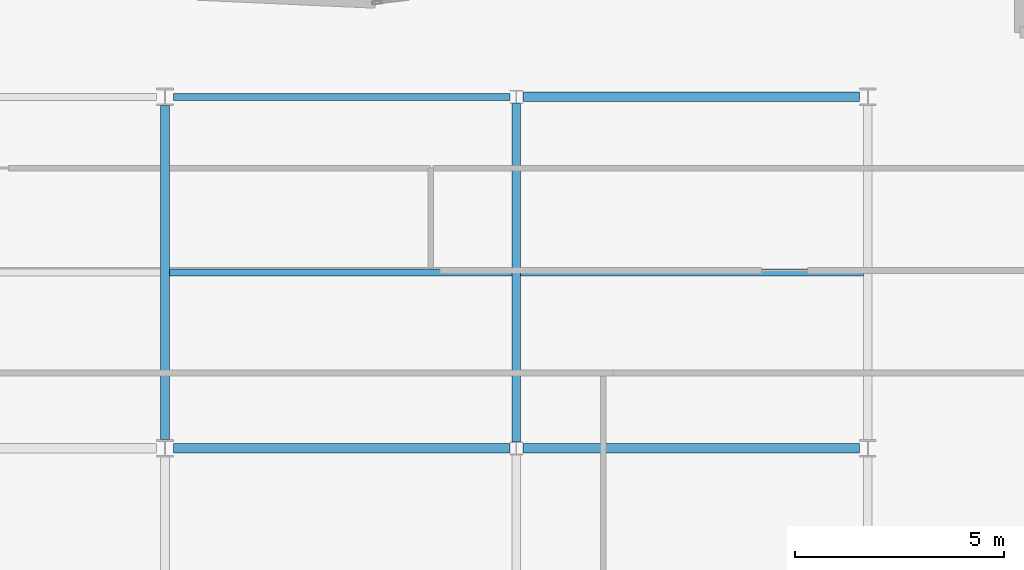
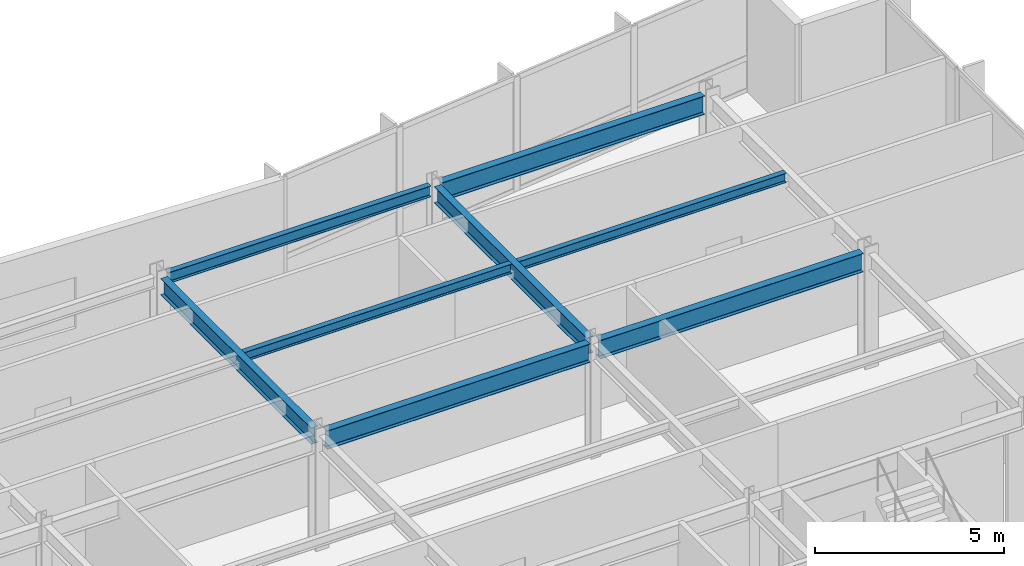
# One storey, part 6 of 16: 8 beams.
"""IFC4 building model written with IfcOpenShell, lengths in metres."""

from ifc_helpers import new_model, si_unit, direction, frame, origin, origin_2d, place, context, subcontext, project, spatial, i_section, extrude, material, material_profile, profile_set, type_object, element, save


model = new_model("IFC4")

# Units and contexts
model_context = context("Model", 3, precision=1e-05, world=origin(), true_north=direction((0.0, 1.0)))
body_context = subcontext(model_context, "Body", "Model", "MODEL_VIEW")
ifc_project = project(units=[si_unit("LENGTHUNIT", "METRE"), si_unit("AREAUNIT", "SQUARE_METRE"), si_unit("VOLUMEUNIT", "CUBIC_METRE"), si_unit("PLANEANGLEUNIT", "RADIAN"), si_unit("MASSUNIT", "GRAM", prefix="KILO")], contexts=[model_context])

# Site, building, storey
site_placement = place(None, origin())
site = spatial("IfcSite", under=ifc_project, at=site_placement, CompositionType="ELEMENT")
building_placement = place(site_placement, origin())
building = spatial("IfcBuilding", under=site, at=building_placement, Name="Varnakote Quay Hospital", CompositionType="ELEMENT")
storey_placement = place(building_placement, frame((0.0, 0.0, 166.550048828125)))
storey = spatial("IfcBuildingStorey", under=building, at=storey_placement, Name="L41", CompositionType="ELEMENT", Elevation=166.550048828125)

# Beams
ifc_material_1 = material(Name="Structural steel AS/NZS 3679.1 Grade 350 L0 (fy 340 MPa)", Category="steel")
ifc_material_profile_1 = material_profile(ifc_material_1, i_section(OverallWidth=0.208984375, OverallDepth=0.532958984375, WebThickness=0.01025390625, FlangeThickness=0.015625, FilletRadius=0.013916015625, at=origin_2d()), Name="530UB92.4")
ifc_profile_set_1 = profile_set([ifc_material_profile_1], Name="Structural steel AS/NZS 3679.1 Grade 350 L0 (fy 340 MPa)")
beam_type_1 = type_object("IfcBeamType", Name="BM-STL-530UB92-4", PredefinedType="BEAM", material=ifc_profile_set_1)
beam_1_placement = place(storey_placement, frame((33.60009765625, 20.610107421875, 3.443359375), z_axis=(0.0, 1.0, 0.0), x_axis=(-1.0, 0.0, 0.0)))
element("IfcBeam", 1, at=beam_1_placement, inside=storey, type_object=beam_type_1, Name="L41 Primary Tie Beam", PredefinedType="BEAM", context=body_context, shape_type="SweptSolid", body=[
    extrude(i_section(OverallWidth=0.208984375, OverallDepth=0.532958984375, WebThickness=0.01025390625, FlangeThickness=0.015625, FilletRadius=0.013916015625, at=origin_2d()), origin(), (0.0, 0.0, 1.0), 7.97998046875),
])
beam_2_placement = place(storey_placement, frame((42.0, 20.5576171875, 3.443359375), z_axis=(0.0, 1.0, 0.0), x_axis=(-1.0, 0.0, 0.0)))
element("IfcBeam", 2, at=beam_2_placement, inside=storey, type_object=beam_type_1, Name="L41 Primary Tie Beam", PredefinedType="BEAM", context=body_context, shape_type="SweptSolid", body=[
    extrude(i_section(OverallWidth=0.208984375, OverallDepth=0.532958984375, WebThickness=0.01025390625, FlangeThickness=0.015625, FilletRadius=0.013916015625, at=origin_2d()), origin(), (0.0, 0.0, 1.0), 8.0849609375),
])
ifc_material_2 = material(Name="Structural steel AS/NZS 3679.1 Grade 350 L0 (fy 340 MPa)", Category="steel")
ifc_material_profile_2 = material_profile(ifc_material_2, i_section(OverallWidth=0.22802734375, OverallDepth=0.60205078125, WebThickness=0.010498046875, FlangeThickness=0.014892578125, FilletRadius=0.013916015625, at=origin_2d()), Name="610UB101")
ifc_profile_set_2 = profile_set([ifc_material_profile_2], Name="Structural steel AS/NZS 3679.1 Grade 350 L0 (fy 340 MPa)")
beam_type_2 = type_object("IfcBeamType", Name="BM-STL-610UB101", PredefinedType="BEAM", material=ifc_profile_set_2)
for number, where, z_axis, x_axis, name in (
    (3, (33.800048828125, 20.39990234375, 3.408935546875), (1.0, 0.0, 0.0), (0.0, 1.0, 0.0), "L41 Primary Floor Beam"),
    (4, (42.153564453125, 20.39990234375, 3.408935546875), (1.0, 0.0, 0.0), (0.0, 1.0, 0.0), "L41 Primary Floor Beam"),
    (5, (42.153564453125, 28.800048828125, 3.408935546875), (1.0, 0.0, 0.0), (0.0, 1.0, 0.0), "L41 Primary Floor Beam"),
):
    element("IfcBeam", number, at=place(storey_placement, frame(where, z_axis=z_axis, x_axis=x_axis)), inside=storey, type_object=beam_type_2, Name=name, PredefinedType="BEAM", context=body_context, shape_type="SweptSolid", body=[
        extrude(i_section(OverallWidth=0.22802734375, OverallDepth=0.60205078125, WebThickness=0.010498046875, FlangeThickness=0.014892578125, FilletRadius=0.013916015625, at=origin_2d()), origin(), (0.0, 0.0, 1.0), 8.04638671875),
    ])
ifc_material_3 = material(Name="Structural steel AS/NZS 3679.1 Grade 350 L0 (fy 340 MPa)", Category="steel")
ifc_material_profile_3 = material_profile(ifc_material_3, i_section(OverallWidth=0.166015625, OverallDepth=0.306884765625, WebThickness=0.006591796875, FlangeThickness=0.01171875, FilletRadius=0.011474609375, at=origin_2d()), Name="310UB46.2")
ifc_profile_set_3 = profile_set([ifc_material_profile_3], Name="Structural steel AS/NZS 3679.1 Grade 350 L0 (fy 340 MPa)")
beam_type_3 = type_object("IfcBeamType", Name="JST-STL-310UB46-2", PredefinedType="JOIST", material=ifc_profile_set_3)
for number, where, z_axis, x_axis, name in (
    (6, (33.70458984375, 24.60009765625, 3.556396484375), (1.0, 0.0, 0.0), (0.0, 1.0, 0.0), "L41 Composite Floor Joist"),
    (7, (42.1044921875, 24.60009765625, 3.556396484375), (1.0, 0.0, 0.0), (0.0, 1.0, 0.0), "L41 Composite Floor Joist"),
):
    element("IfcBeam", number, at=place(storey_placement, frame(where, z_axis=z_axis, x_axis=x_axis)), inside=storey, type_object=beam_type_3, Name=name, PredefinedType="JOIST", context=body_context, shape_type="SweptSolid", body=[
        extrude(i_section(OverallWidth=0.166015625, OverallDepth=0.306884765625, WebThickness=0.006591796875, FlangeThickness=0.01171875, FilletRadius=0.011474609375, at=origin_2d()), origin(), (0.0, 0.0, 1.0), 8.19091796875),
    ])
ifc_material_4 = material(Name="Structural steel AS/NZS 3679.1 Grade 350 L0 (fy 340 MPa)", Category="steel")
ifc_material_profile_4 = material_profile(ifc_material_4, i_section(OverallWidth=0.172119140625, OverallDepth=0.35888671875, WebThickness=0.008056640625, FlangeThickness=0.012939453125, FilletRadius=0.011474609375, at=origin_2d()), Name="360UB56.7")
ifc_profile_set_4 = profile_set([ifc_material_profile_4], Name="Structural steel AS/NZS 3679.1 Grade 350 L0 (fy 340 MPa)")
beam_type_4 = type_object("IfcBeamType", Name="SPN-STL-360UB56-7", PredefinedType="SPANDREL", material=ifc_profile_set_4)
beam_3_placement = place(storey_placement, frame((33.800048828125, 28.800048828125, 3.530517578125), z_axis=(1.0, 0.0, 0.0), x_axis=(0.0, 1.0, 0.0)))
element("IfcBeam", 8, at=beam_3_placement, inside=storey, type_object=beam_type_4, Name="L41 Perimeter Spandrel Beam", PredefinedType="SPANDREL", context=body_context, shape_type="SweptSolid", body=[
    extrude(i_section(OverallWidth=0.172119140625, OverallDepth=0.35888671875, WebThickness=0.008056640625, FlangeThickness=0.012939453125, FilletRadius=0.011474609375, at=origin_2d()), origin(), (0.0, 0.0, 1.0), 8.04638671875),
])

save(model, "model.ifc")
